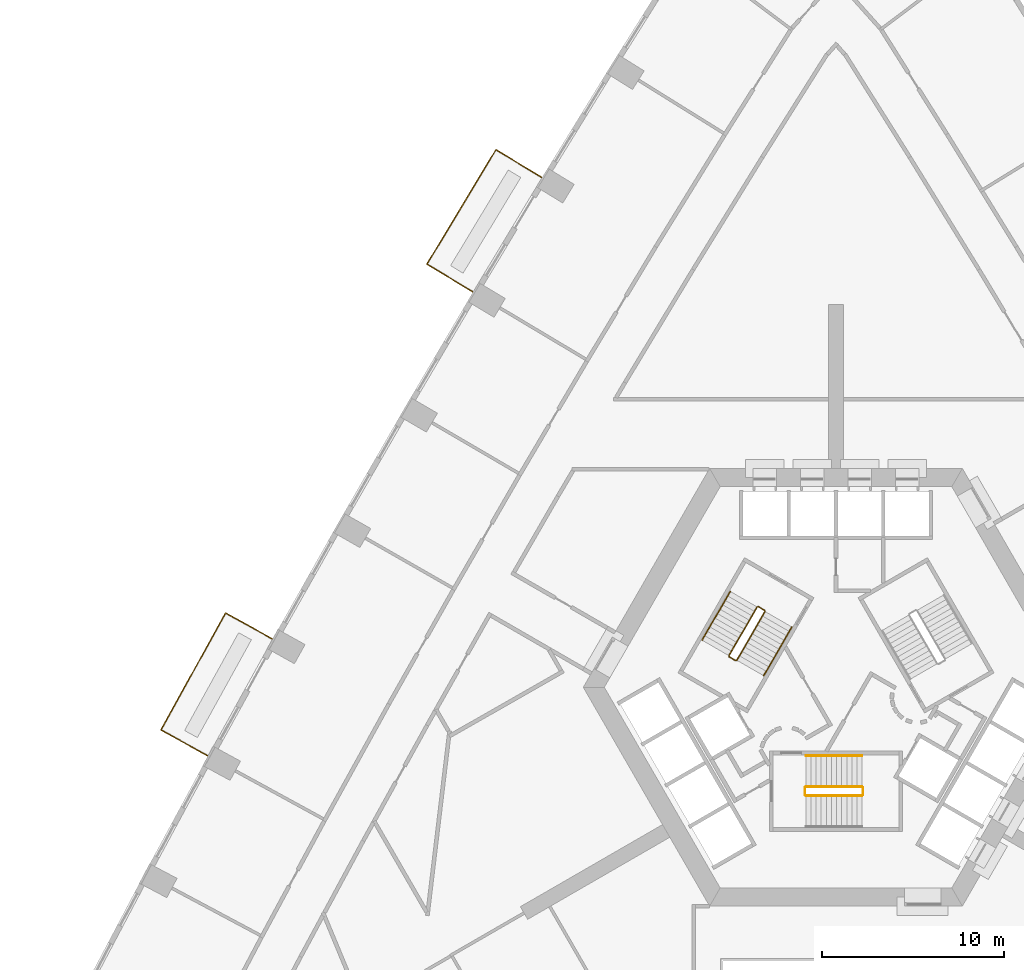
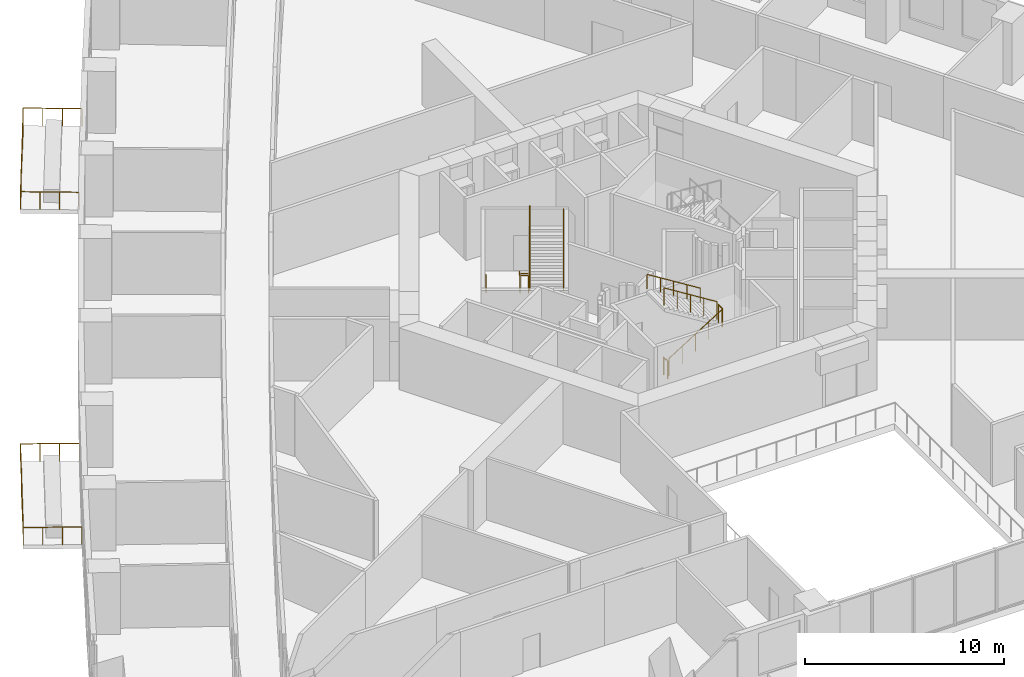
# One storey, part 14 of 16: 13 railings.
"""IFC4 building model written with IfcOpenShell, lengths in metres."""

from ifc_helpers import new_model, si_unit, direction, frame, origin, origin_2d, place, context, subcontext, project, spatial, circle, extrude, material, type_object, element, save


model = new_model("IFC4")

# Units and contexts
model_context = context("Model", 3, precision=1e-05, world=origin(), true_north=direction((0.0, 1.0)))
body_context = subcontext(model_context, "Body", "Model", "MODEL_VIEW")
ifc_project = project(units=[si_unit("LENGTHUNIT", "METRE"), si_unit("AREAUNIT", "SQUARE_METRE"), si_unit("VOLUMEUNIT", "CUBIC_METRE"), si_unit("PLANEANGLEUNIT", "RADIAN"), si_unit("MASSUNIT", "GRAM", prefix="KILO")], contexts=[model_context])

# Site, building, storey
site_placement = place(None, origin())
site = spatial("IfcSite", under=ifc_project, at=site_placement, CompositionType="ELEMENT")
building_placement = place(site_placement, origin())
building = spatial("IfcBuilding", under=site, at=building_placement, Name="Entoto Arch Interchange Tower", CompositionType="ELEMENT")
storey_placement = place(building_placement, frame((0.0, 0.0, 68.60009765625)))
storey = spatial("IfcBuildingStorey", under=building, at=storey_placement, Name="L14", CompositionType="ELEMENT", Elevation=68.60009765625)

# Railings
ifc_material = material(Name="Stainless steel 1.4301", Category="steel")
railing_type_1 = type_object("IfcRailingType", Name="GUARD 1100 STEEL AND GLASS", PredefinedType="GUARDRAIL", material=ifc_material)
railing_1_placement = place(storey_placement, frame((-16.118896484375, 30.449951171875, 0.0)))
element("IfcRailing", 1, at=railing_1_placement, inside=storey, type_object=railing_type_1, Name="Balcony guard NW-03 L14", PredefinedType="GUARDRAIL", context=body_context, shape_type="SweptSolid", body=[
    extrude(circle(Radius=0.02392578125, at=origin_2d()), frame((0.0, 0.0, 1.076171875), z_axis=(-0.856491067036, 0.516161846795, 0.0), x_axis=(-0.516161846795, -0.856491067036, 0.0)), (0.0, 0.0, 1.0), 2.950439453125),
    extrude(circle(Radius=0.02392578125, at=origin_2d()), frame((-2.527099609375, 1.52294921875, 1.076171875), z_axis=(-0.51616612915, -0.856488486273, 0.0), x_axis=(0.856488486273, -0.51616612915, 0.0)), (0.0, 0.0, 1.0), 7.3251953125),
    extrude(circle(Radius=0.02392578125, at=origin_2d()), frame((-6.30810546875, -4.7509765625, 1.076171875), z_axis=(0.856491067036, -0.516161846795, 0.0), x_axis=(0.516161846795, 0.856491067036, 0.0)), (0.0, 0.0, 1.0), 2.950439453125),
    extrude(circle(Radius=0.02099609375, at=origin_2d()), origin(), (0.0, 0.0, 1.0), 1.052001953125),
    extrude(circle(Radius=0.02099609375, at=origin_2d()), frame((-0.84228515625, 0.507568359375, 0.0)), (0.0, 0.0, 1.0), 1.052001953125),
    extrude(circle(Radius=0.02099609375, at=origin_2d()), frame((-1.684814453125, 1.015380859375, 0.0)), (0.0, 0.0, 1.0), 1.052001953125),
    extrude(circle(Radius=0.02099609375, at=origin_2d()), frame((-2.527099609375, 1.52294921875, 0.0)), (0.0, 0.0, 1.0), 1.052001953125),
    extrude(circle(Radius=0.02099609375, at=origin_2d()), frame((-3.067138671875, 0.626708984375, 0.0)), (0.0, 0.0, 1.0), 1.052001953125),
    extrude(circle(Radius=0.02099609375, at=origin_2d()), frame((-3.607421875, -0.26953125, 0.0)), (0.0, 0.0, 1.0), 1.052001953125),
    extrude(circle(Radius=0.02099609375, at=origin_2d()), frame((-4.1474609375, -1.165771484375, 0.0)), (0.0, 0.0, 1.0), 1.052001953125),
    extrude(circle(Radius=0.02099609375, at=origin_2d()), frame((-4.687744140625, -2.062255859375, 0.0)), (0.0, 0.0, 1.0), 1.052001953125),
    extrude(circle(Radius=0.02099609375, at=origin_2d()), frame((-5.227783203125, -2.95849609375, 0.0)), (0.0, 0.0, 1.0), 1.052001953125),
    extrude(circle(Radius=0.02099609375, at=origin_2d()), frame((-5.76806640625, -3.854736328125, 0.0)), (0.0, 0.0, 1.0), 1.052001953125),
    extrude(circle(Radius=0.02099609375, at=origin_2d()), frame((-6.30810546875, -4.7509765625, 0.0)), (0.0, 0.0, 1.0), 1.052001953125),
    extrude(circle(Radius=0.02099609375, at=origin_2d()), frame((-5.4658203125, -5.258544921875, 0.0)), (0.0, 0.0, 1.0), 1.052001953125),
    extrude(circle(Radius=0.02099609375, at=origin_2d()), frame((-4.623291015625, -5.766357421875, 0.0)), (0.0, 0.0, 1.0), 1.052001953125),
    extrude(circle(Radius=0.02099609375, at=origin_2d()), frame((-3.781005859375, -6.27392578125, 0.0)), (0.0, 0.0, 1.0), 1.052001953125),
])
railing_2_placement = place(storey_placement, frame((-30.887939453125, 5.14599609375, 0.0)))
element("IfcRailing", 2, at=railing_2_placement, inside=storey, type_object=railing_type_1, Name="Balcony guard NW-07 L14", PredefinedType="GUARDRAIL", context=body_context, shape_type="SweptSolid", body=[
    extrude(circle(Radius=0.02392578125, at=origin_2d()), frame((0.0, 0.0, 1.076171875), z_axis=(-0.875228627808, 0.483709467619, 0.0), x_axis=(-0.483709467619, -0.875228627808, 0.0)), (0.0, 0.0, 1.0), 2.9501953125),
    extrude(circle(Radius=0.02392578125, at=origin_2d()), frame((-2.58203125, 1.427001953125, 1.076171875), z_axis=(-0.483595393776, -0.875291662887, 0.0), x_axis=(0.875291662887, -0.483595393776, 0.0)), (0.0, 0.0, 1.0), 7.32421875),
    extrude(circle(Radius=0.02392578125, at=origin_2d()), frame((-6.1240234375, -4.98388671875, 1.076171875), z_axis=(0.875228627808, -0.483709467619, 0.0), x_axis=(0.483709467619, 0.875228627808, 0.0)), (0.0, 0.0, 1.0), 2.9501953125),
    extrude(circle(Radius=0.02099609375, at=origin_2d()), origin(), (0.0, 0.0, 1.0), 1.052001953125),
    extrude(circle(Radius=0.02099609375, at=origin_2d()), frame((-0.860595703125, 0.4755859375, 0.0)), (0.0, 0.0, 1.0), 1.052001953125),
    extrude(circle(Radius=0.02099609375, at=origin_2d()), frame((-1.721435546875, 0.951416015625, 0.0)), (0.0, 0.0, 1.0), 1.052001953125),
    extrude(circle(Radius=0.02099609375, at=origin_2d()), frame((-2.58203125, 1.427001953125, 0.0)), (0.0, 0.0, 1.0), 1.052001953125),
    extrude(circle(Radius=0.02099609375, at=origin_2d()), frame((-3.088134765625, 0.51123046875, 0.0)), (0.0, 0.0, 1.0), 1.052001953125),
    extrude(circle(Radius=0.02099609375, at=origin_2d()), frame((-3.593994140625, -0.40478515625, 0.0)), (0.0, 0.0, 1.0), 1.052001953125),
    extrude(circle(Radius=0.02099609375, at=origin_2d()), frame((-4.10009765625, -1.320556640625, 0.0)), (0.0, 0.0, 1.0), 1.052001953125),
    extrude(circle(Radius=0.02099609375, at=origin_2d()), frame((-4.60595703125, -2.236328125, 0.0)), (0.0, 0.0, 1.0), 1.052001953125),
    extrude(circle(Radius=0.02099609375, at=origin_2d()), frame((-5.112060546875, -3.152099609375, 0.0)), (0.0, 0.0, 1.0), 1.052001953125),
    extrude(circle(Radius=0.02099609375, at=origin_2d()), frame((-5.617919921875, -4.068115234375, 0.0)), (0.0, 0.0, 1.0), 1.052001953125),
    extrude(circle(Radius=0.02099609375, at=origin_2d()), frame((-6.1240234375, -4.98388671875, 0.0)), (0.0, 0.0, 1.0), 1.052001953125),
    extrude(circle(Radius=0.02099609375, at=origin_2d()), frame((-5.263427734375, -5.45947265625, 0.0)), (0.0, 0.0, 1.0), 1.052001953125),
    extrude(circle(Radius=0.02099609375, at=origin_2d()), frame((-4.402587890625, -5.935302734375, 0.0)), (0.0, 0.0, 1.0), 1.052001953125),
    extrude(circle(Radius=0.02099609375, at=origin_2d()), frame((-3.5419921875, -6.410888671875, 0.0)), (0.0, 0.0, 1.0), 1.052001953125),
])
railing_type_2 = type_object("IfcRailingType", Name="STAIR GUARD 1100 STEEL", PredefinedType="GUARDRAIL", material=ifc_material)
railing_3_placement = place(storey_placement, frame((-1.64990234375, -3.449951171875, 0.1748046875)))
element("IfcRailing", 3, at=railing_3_placement, inside=storey, type_object=railing_type_2, Name="L14 ST-S stair guard 1", PredefinedType="GUARDRAIL", context=body_context, shape_type="SweptSolid", body=[
    extrude(circle(Radius=0.02392578125, at=origin_2d()), frame((0.0, 0.0, 1.076171875), z_axis=(0.847979421464, 0.0, 0.530029150871), x_axis=(0.0, 1.0, 0.0)), (0.0, 0.0, 1.0), 3.632080078125),
    extrude(circle(Radius=0.02099609375, at=origin_2d()), origin(), (0.0, 0.0, 1.0), 1.052001953125),
    extrude(circle(Radius=0.02099609375, at=origin_2d()), frame((0.77001953125, 0.0, 0.481201171875)), (0.0, 0.0, 1.0), 1.052001953125),
    extrude(circle(Radius=0.02099609375, at=origin_2d()), frame((1.5400390625, 0.0, 0.96240234375)), (0.0, 0.0, 1.0), 1.052001953125),
    extrude(circle(Radius=0.02099609375, at=origin_2d()), frame((2.309814453125, 0.0, 1.44384765625)), (0.0, 0.0, 1.0), 1.052001953125),
    extrude(circle(Radius=0.02099609375, at=origin_2d()), frame((3.079833984375, 0.0, 1.925048828125)), (0.0, 0.0, 1.0), 1.052001953125),
])
railing_4_placement = place(storey_placement, frame((1.47998046875, -3.39990234375, 2.099853515625)))
element("IfcRailing", 4, at=railing_4_placement, inside=storey, type_object=railing_type_2, Name="L14 ST-S stair guard 2", PredefinedType="GUARDRAIL", context=body_context, shape_type="SweptSolid", body=[
    extrude(circle(Radius=0.02392578125, at=origin_2d()), frame((0.0, 0.0, 1.076171875), z_axis=(0.0, 1.0, 0.0), x_axis=(-1.0, 0.0, 0.0)), (0.0, 0.0, 1.0), 0.39990234375),
    extrude(circle(Radius=0.02099609375, at=origin_2d()), origin(), (0.0, 0.0, 1.0), 1.052001953125),
    extrude(circle(Radius=0.02099609375, at=origin_2d()), frame((0.0, 0.39990234375, 0.0)), (0.0, 0.0, 1.0), 1.052001953125),
])
railing_5_placement = place(storey_placement, frame((1.429931640625, -2.949951171875, 2.27490234375)))
element("IfcRailing", 5, at=railing_5_placement, inside=storey, type_object=railing_type_2, Name="L14 ST-S stair guard 3", PredefinedType="GUARDRAIL", context=body_context, shape_type="SweptSolid", body=[
    extrude(circle(Radius=0.02392578125, at=origin_2d()), frame((0.0, 0.0, 1.076171875), z_axis=(-0.847979421464, 0.0, 0.530029150871), x_axis=(0.0, -1.0, 0.0)), (0.0, 0.0, 1.0), 3.632080078125),
    extrude(circle(Radius=0.02099609375, at=origin_2d()), origin(), (0.0, 0.0, 1.0), 1.052001953125),
    extrude(circle(Radius=0.02099609375, at=origin_2d()), frame((-0.77001953125, 0.0, 0.481201171875)), (0.0, 0.0, 1.0), 1.052001953125),
    extrude(circle(Radius=0.02099609375, at=origin_2d()), frame((-1.5400390625, 0.0, 0.96240234375)), (0.0, 0.0, 1.0), 1.052001953125),
    extrude(circle(Radius=0.02099609375, at=origin_2d()), frame((-2.309814453125, 0.0, 1.44384765625)), (0.0, 0.0, 1.0), 1.052001953125),
    extrude(circle(Radius=0.02099609375, at=origin_2d()), frame((-3.079833984375, 0.0, 1.925048828125)), (0.0, 0.0, 1.0), 1.052001953125),
])
railing_6_placement = place(storey_placement, frame((-1.699951171875, -3.39990234375, 0.0)))
element("IfcRailing", 6, at=railing_6_placement, inside=storey, type_object=railing_type_2, Name="L14 ST-S stair guard 4", PredefinedType="GUARDRAIL", context=body_context, shape_type="SweptSolid", body=[
    extrude(circle(Radius=0.02392578125, at=origin_2d()), frame((0.0, 0.0, 1.076171875), z_axis=(0.0, 1.0, 0.0), x_axis=(-1.0, 0.0, 0.0)), (0.0, 0.0, 1.0), 0.39990234375),
    extrude(circle(Radius=0.02099609375, at=origin_2d()), origin(), (0.0, 0.0, 1.0), 1.052001953125),
    extrude(circle(Radius=0.02099609375, at=origin_2d()), frame((0.0, 0.39990234375, 0.0)), (0.0, 0.0, 1.0), 1.052001953125),
])
railing_7_placement = place(storey_placement, frame((-4.327880859375, 6.904052734375, 0.1748046875)))
element("IfcRailing", 7, at=railing_7_placement, inside=storey, type_object=railing_type_2, Name="L14 ST-NW stair guard 1", PredefinedType="GUARDRAIL", context=body_context, shape_type="SweptSolid", body=[
    extrude(circle(Radius=0.02392578125, at=origin_2d()), frame((0.0, 0.0, 1.076171875), z_axis=(-0.423994474112, -0.734394994316, 0.52999309264), x_axis=(0.866029832698, -0.499992328818, 0.0)), (0.0, 0.0, 1.0), 3.63232421875),
    extrude(circle(Radius=0.02099609375, at=origin_2d()), origin(), (0.0, 0.0, 1.0), 1.052001953125),
    extrude(circle(Radius=0.02099609375, at=origin_2d()), frame((-0.385009765625, -0.6669921875, 0.481201171875)), (0.0, 0.0, 1.0), 1.052001953125),
    extrude(circle(Radius=0.02099609375, at=origin_2d()), frame((-0.77001953125, -1.333740234375, 0.96240234375)), (0.0, 0.0, 1.0), 1.052001953125),
    extrude(circle(Radius=0.02099609375, at=origin_2d()), frame((-1.155029296875, -2.00048828125, 1.44384765625)), (0.0, 0.0, 1.0), 1.052001953125),
    extrude(circle(Radius=0.02099609375, at=origin_2d()), frame((-1.5400390625, -2.66748046875, 1.925048828125)), (0.0, 0.0, 1.0), 1.052001953125),
])
railing_8_placement = place(storey_placement, frame((-5.849609375, 4.168212890625, 2.099853515625)))
element("IfcRailing", 8, at=railing_8_placement, inside=storey, type_object=railing_type_2, Name="L14 ST-NW stair guard 2", PredefinedType="GUARDRAIL", context=body_context, shape_type="SweptSolid", body=[
    extrude(circle(Radius=0.02392578125, at=origin_2d()), frame((0.0, 0.0, 1.076171875), z_axis=(0.866094119867, -0.499880961361, 0.0), x_axis=(0.499880961361, 0.866094119867, 0.0)), (0.0, 0.0, 1.0), 0.39990234375),
    extrude(circle(Radius=0.02099609375, at=origin_2d()), origin(), (0.0, 0.0, 1.0), 1.052001953125),
    extrude(circle(Radius=0.02099609375, at=origin_2d()), frame((0.346435546875, -0.199951171875, 0.0)), (0.0, 0.0, 1.0), 1.052001953125),
])
railing_9_placement = place(storey_placement, frame((-5.434814453125, 3.986572265625, 2.27490234375)))
element("IfcRailing", 9, at=railing_9_placement, inside=storey, type_object=railing_type_2, Name="L14 ST-NW stair guard 3", PredefinedType="GUARDRAIL", context=body_context, shape_type="SweptSolid", body=[
    extrude(circle(Radius=0.02392578125, at=origin_2d()), frame((0.0, 0.0, 1.076171875), z_axis=(0.423994474112, 0.734394994316, 0.52999309264), x_axis=(-0.866029832698, 0.499992328818, 0.0)), (0.0, 0.0, 1.0), 3.63232421875),
    extrude(circle(Radius=0.02099609375, at=origin_2d()), origin(), (0.0, 0.0, 1.0), 1.052001953125),
    extrude(circle(Radius=0.02099609375, at=origin_2d()), frame((0.385009765625, 0.6669921875, 0.481201171875)), (0.0, 0.0, 1.0), 1.052001953125),
    extrude(circle(Radius=0.02099609375, at=origin_2d()), frame((0.77001953125, 1.333740234375, 0.96240234375)), (0.0, 0.0, 1.0), 1.052001953125),
    extrude(circle(Radius=0.02099609375, at=origin_2d()), frame((1.155029296875, 2.00048828125, 1.44384765625)), (0.0, 0.0, 1.0), 1.052001953125),
    extrude(circle(Radius=0.02099609375, at=origin_2d()), frame((1.5400390625, 2.66748046875, 1.925048828125)), (0.0, 0.0, 1.0), 1.052001953125),
])
railing_10_placement = place(storey_placement, frame((-4.259521484375, 6.92236328125, 0.0)))
element("IfcRailing", 10, at=railing_10_placement, inside=storey, type_object=railing_type_2, Name="L14 ST-NW stair guard 4", PredefinedType="GUARDRAIL", context=body_context, shape_type="SweptSolid", body=[
    extrude(circle(Radius=0.02392578125, at=origin_2d()), frame((0.0, 0.0, 1.076171875), z_axis=(0.865829829939, -0.500338590944, 0.0), x_axis=(0.500338590944, 0.865829829939, 0.0)), (0.0, 0.0, 1.0), 0.400146484375),
    extrude(circle(Radius=0.02099609375, at=origin_2d()), origin(), (0.0, 0.0, 1.0), 1.052001953125),
    extrude(circle(Radius=0.02099609375, at=origin_2d()), frame((0.346435546875, -0.2001953125, 0.0)), (0.0, 0.0, 1.0), 1.052001953125),
])
railing_type_3 = type_object("IfcRailingType", Name="STAIR HANDRAIL 900 STEEL", PredefinedType="HANDRAIL", material=ifc_material)
railing_11_placement = place(storey_placement, frame((1.429931640625, -1.25, 2.27490234375)))
element("IfcRailing", 11, at=railing_11_placement, inside=storey, type_object=railing_type_3, Name="L14 ST-S stair handrail 2", PredefinedType="HANDRAIL", context=body_context, shape_type="SweptSolid", body=[
    extrude(circle(Radius=0.02392578125, at=origin_2d()), frame((0.0, 0.0, 0.8759765625), z_axis=(-0.847979421464, 0.0, 0.530029150871), x_axis=(0.0, -1.0, 0.0)), (0.0, 0.0, 1.0), 3.632080078125),
    extrude(circle(Radius=0.02099609375, at=origin_2d()), origin(), (0.0, 0.0, 1.0), 0.851806640625),
    extrude(circle(Radius=0.02099609375, at=origin_2d()), frame((-0.77001953125, 0.0, 0.481201171875)), (0.0, 0.0, 1.0), 0.851806640625),
    extrude(circle(Radius=0.02099609375, at=origin_2d()), frame((-1.5400390625, 0.0, 0.96240234375)), (0.0, 0.0, 1.0), 0.851806640625),
    extrude(circle(Radius=0.02099609375, at=origin_2d()), frame((-2.309814453125, 0.0, 1.44384765625)), (0.0, 0.0, 1.0), 0.851806640625),
    extrude(circle(Radius=0.02099609375, at=origin_2d()), frame((-3.079833984375, 0.0, 1.925048828125)), (0.0, 0.0, 1.0), 0.851806640625),
])
railing_12_placement = place(storey_placement, frame((-5.800048828125, 7.75390625, 0.1748046875)))
element("IfcRailing", 12, at=railing_12_placement, inside=storey, type_object=railing_type_3, Name="L14 ST-NW stair handrail 1", PredefinedType="HANDRAIL", context=body_context, shape_type="SweptSolid", body=[
    extrude(circle(Radius=0.02392578125, at=origin_2d()), frame((0.0, 0.0, 0.8759765625), z_axis=(-0.424015404183, -0.734364028329, 0.530019255228), x_axis=(0.866010015463, -0.500026652407, 0.0)), (0.0, 0.0, 1.0), 3.632080078125),
    extrude(circle(Radius=0.02099609375, at=origin_2d()), origin(), (0.0, 0.0, 1.0), 0.851806640625),
    extrude(circle(Radius=0.02099609375, at=origin_2d()), frame((-0.385009765625, -0.666748046875, 0.481201171875)), (0.0, 0.0, 1.0), 0.851806640625),
    extrude(circle(Radius=0.02099609375, at=origin_2d()), frame((-0.77001953125, -1.33349609375, 0.96240234375)), (0.0, 0.0, 1.0), 0.851806640625),
    extrude(circle(Radius=0.02099609375, at=origin_2d()), frame((-1.155029296875, -2.00048828125, 1.44384765625)), (0.0, 0.0, 1.0), 0.851806640625),
    extrude(circle(Radius=0.02099609375, at=origin_2d()), frame((-1.5400390625, -2.667236328125, 1.925048828125)), (0.0, 0.0, 1.0), 0.851806640625),
])
railing_13_placement = place(storey_placement, frame((-3.962646484375, 3.136474609375, 2.27490234375)))
element("IfcRailing", 13, at=railing_13_placement, inside=storey, type_object=railing_type_3, Name="L14 ST-NW stair handrail 2", PredefinedType="HANDRAIL", context=body_context, shape_type="SweptSolid", body=[
    extrude(circle(Radius=0.02392578125, at=origin_2d()), frame((0.0, 0.0, 0.8759765625), z_axis=(0.423994474112, 0.734394994316, 0.52999309264), x_axis=(-0.866029832698, 0.499992328818, 0.0)), (0.0, 0.0, 1.0), 3.63232421875),
    extrude(circle(Radius=0.02099609375, at=origin_2d()), origin(), (0.0, 0.0, 1.0), 0.851806640625),
    extrude(circle(Radius=0.02099609375, at=origin_2d()), frame((0.385009765625, 0.6669921875, 0.481201171875)), (0.0, 0.0, 1.0), 0.851806640625),
    extrude(circle(Radius=0.02099609375, at=origin_2d()), frame((0.77001953125, 1.333740234375, 0.96240234375)), (0.0, 0.0, 1.0), 0.851806640625),
    extrude(circle(Radius=0.02099609375, at=origin_2d()), frame((1.155029296875, 2.00048828125, 1.44384765625)), (0.0, 0.0, 1.0), 0.851806640625),
    extrude(circle(Radius=0.02099609375, at=origin_2d()), frame((1.5400390625, 2.66748046875, 1.925048828125)), (0.0, 0.0, 1.0), 0.851806640625),
])

save(model, "model.ifc")
